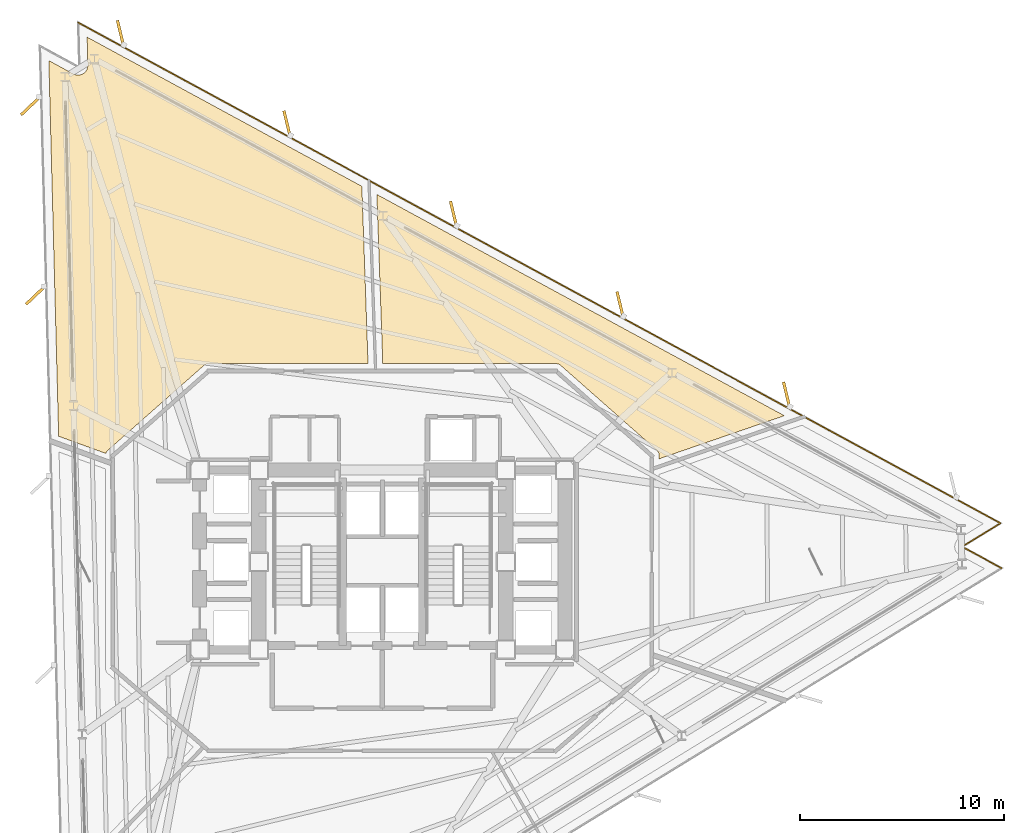
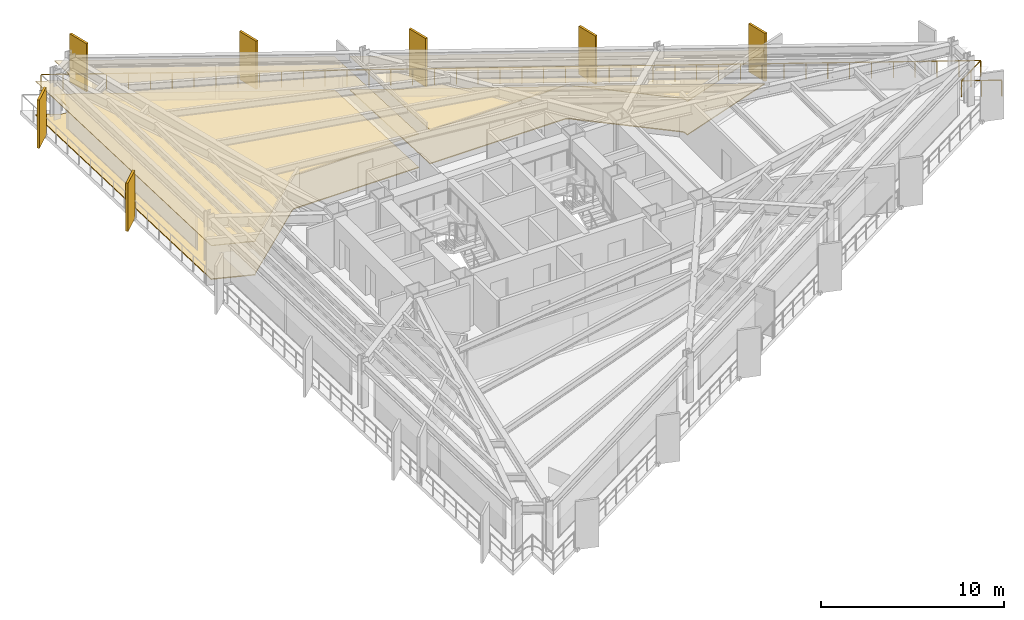
# One storey, part 14 of 14: 7 shading devices, 4 coverings, 1 railing.
"""IFC4 building model written with IfcOpenShell, lengths in metres."""

from ifc_helpers import new_model, si_unit, direction, frame, origin, origin_2d, place, context, subcontext, project, spatial, polyline, rectangle, outline, extrude, material, layer, layer_set, type_object, element, save


model = new_model("IFC4")

# Units and contexts
model_context = context("Model", 3, precision=1e-05, world=origin(), true_north=direction((0.0, 1.0)))
body_context = subcontext(model_context, "Body", "Model", "MODEL_VIEW")
ifc_project = project(units=[si_unit("LENGTHUNIT", "METRE"), si_unit("AREAUNIT", "SQUARE_METRE"), si_unit("VOLUMEUNIT", "CUBIC_METRE"), si_unit("PLANEANGLEUNIT", "RADIAN"), si_unit("MASSUNIT", "GRAM", prefix="KILO")], contexts=[model_context])

# Site, building, storey
site_placement = place(None, origin())
site = spatial("IfcSite", under=ifc_project, at=site_placement, CompositionType="ELEMENT")
building_placement = place(site_placement, origin())
building = spatial("IfcBuilding", under=site, at=building_placement, Name="Rocaltana Carrier Exchange", CompositionType="ELEMENT")
storey_placement = place(building_placement, frame((0.0, 0.0, 39.0400390625)))
storey = spatial("IfcBuildingStorey", under=building, at=storey_placement, Name="L12", CompositionType="ELEMENT", Elevation=39.0400390625)

# Coverings
ifc_material_1 = material(Name="Calcium Sulphate & Aluminium Pedestal", Category="aluminium")
ifc_layer_1 = layer(ifc_material_1, 0.06005859375)
ifc_layer_set_1 = layer_set([ifc_layer_1], Name="Calcium Sulphate & Aluminium Pedestal")
covering_type_1 = type_object("IfcCoveringType", Name="Anti-Static Raised Exchange Access Floor 60", PredefinedType="FLOORING", material=ifc_layer_set_1)
covering_1_placement = place(storey_placement, origin())
element("IfcCovering", 1, at=covering_1_placement, inside=storey, type_object=covering_type_1, Name="L12 Quiet Focus Lounge Finish Floor", PredefinedType="FLOORING", context=body_context, shape_type="SweptSolid", body=[
    extrude(outline(polyline([(19.68701171875, 7.15966796875), (13.56005859375, 5.0498046875), (13.56005859375, 5.199951171875), (13.559814453125, 5.213134765625), (13.559326171875, 5.220703125), (13.556884765625, 5.246826171875), (13.555908203125, 5.25439453125), (13.55078125, 5.2802734375), (13.549072265625, 5.28759765625), (13.541748046875, 5.31298828125), (13.539306640625, 5.320068359375), (13.529541015625, 5.344482421875), (13.526611328125, 5.351318359375), (13.5146484375, 5.375), (13.5107421875, 5.38134765625), (13.49658203125, 5.40380859375), (13.492431640625, 5.409912109375), (13.476318359375, 5.4306640625), (13.471435546875, 5.436279296875), (13.453369140625, 5.455810546875), (13.447998046875, 5.4609375), (13.438232421875, 5.469970703125), (8.73828125, 9.619873046875), (8.727294921875, 9.629150390625), (8.720703125, 9.63427734375), (8.697265625, 9.651123046875), (8.690185546875, 9.655517578125), (8.6650390625, 9.669921875), (8.65771484375, 9.673583984375), (8.631103515625, 9.68505859375), (8.62353515625, 9.68798828125), (8.595947265625, 9.697021484375), (8.587890625, 9.698974609375), (8.5595703125, 9.704833984375), (8.551513671875, 9.706298828125), (8.522705078125, 9.709228515625), (8.514404296875, 9.709716796875), (8.5, 9.7099609375), (0.02099609375, 9.7099609375), (-0.268310546875, 17.994384765625), (19.68701171875, 7.15966796875)])), origin(), (0.0, 0.0, 1.0), 0.06005859375),
])
covering_2_placement = place(storey_placement, origin())
element("IfcCovering", 2, at=covering_2_placement, inside=storey, type_object=covering_type_1, Name="L12 Peering Conference Room Finish Floor", PredefinedType="FLOORING", context=body_context, shape_type="SweptSolid", body=[
    extrude(outline(polyline([(-16.333984375, 24.54931640625), (-15.131103515625, 23.896484375), (-15.118896484375, 23.889892578125), (-15.100830078125, 23.88134765625), (-15.0751953125, 23.87060546875), (-15.056396484375, 23.86376953125), (-15.02978515625, 23.855712890625), (-15.01025390625, 23.8505859375), (-14.98291015625, 23.84521484375), (-14.96337890625, 23.84228515625), (-14.935546875, 23.839599609375), (-14.91552734375, 23.83837890625), (-14.8876953125, 23.838623046875), (-14.86767578125, 23.839599609375), (-14.840087890625, 23.84228515625), (-14.8203125, 23.845458984375), (-14.79296875, 23.85107421875), (-14.773681640625, 23.85595703125), (-14.746826171875, 23.8642578125), (-14.728271484375, 23.87109375), (-14.702392578125, 23.8818359375), (-14.6845703125, 23.890625), (-14.659912109375, 23.90380859375), (-14.64306640625, 23.914306640625), (-14.6201171875, 23.93017578125), (-14.60400390625, 23.942138671875), (-14.582763671875, 23.960205078125), (-14.568115234375, 23.9736328125), (-14.548583984375, 23.99365234375), (-14.535400390625, 24.0087890625), (-14.51806640625, 24.030517578125), (-14.506591796875, 24.046630859375), (-14.491455078125, 24.0703125), (-14.4814453125, 24.08740234375), (-14.46875, 24.1123046875), (-14.460693359375, 24.130615234375), (-14.450439453125, 24.156494140625), (-14.444091796875, 24.17529296875), (-14.4365234375, 24.202392578125), (-14.43212890625, 24.2216796875), (-14.42724609375, 24.249267578125), (-14.4248046875, 24.26904296875), (-14.4228515625, 24.296875), (-14.42236328125, 24.31689453125), (-14.42236328125, 24.330810546875), (-14.458251953125, 25.698974609375), (-1.00244140625, 18.39306640625), (-0.69921875, 9.7099609375), (-8.5, 9.7099609375), (-8.514404296875, 9.709716796875), (-8.522705078125, 9.709228515625), (-8.551513671875, 9.706298828125), (-8.5595703125, 9.704833984375), (-8.587890625, 9.698974609375), (-8.595947265625, 9.697021484375), (-8.62353515625, 9.68798828125), (-8.631103515625, 9.68505859375), (-8.65771484375, 9.673583984375), (-8.6650390625, 9.669921875), (-8.690185546875, 9.655517578125), (-8.697265625, 9.651123046875), (-8.720703125, 9.63427734375), (-8.727294921875, 9.629150390625), (-8.73828125, 9.619873046875), (-13.438232421875, 5.469970703125), (-13.447998046875, 5.4609375), (-13.453369140625, 5.455810546875), (-13.471435546875, 5.436279296875), (-13.476318359375, 5.4306640625), (-13.492431640625, 5.409912109375), (-13.49658203125, 5.40380859375), (-13.5107421875, 5.38134765625), (-13.5146484375, 5.375), (-13.526611328125, 5.351318359375), (-13.529541015625, 5.344482421875), (-13.539306640625, 5.320068359375), (-13.541748046875, 5.31298828125), (-13.5419921875, 5.31201171875), (-15.852294921875, 6.15283203125), (-16.333984375, 24.54931640625)])), origin(), (0.0, 0.0, 1.0), 0.06005859375),
])
ifc_material_2 = material(Name="Mineral Fibre & Powder-Coated Aluminium", Category="aluminium")
ifc_layer_2 = layer(ifc_material_2, 0.044921875)
ifc_layer_set_2 = layer_set([ifc_layer_2], Name="Mineral Fibre & Powder-Coated Aluminium")
covering_type_2 = type_object("IfcCoveringType", Name="Micro-Perforated Acoustic Ceiling 45", PredefinedType="CEILING", material=ifc_layer_set_2)
covering_3_placement = place(storey_placement, frame((0.0, 0.0, 2.242919921875)))
element("IfcCovering", 3, at=covering_3_placement, inside=storey, type_object=covering_type_2, Name="L12 Quiet Focus Lounge Acoustic Ceiling", PredefinedType="CEILING", context=body_context, shape_type="SweptSolid", body=[
    extrude(outline(polyline([(19.68701171875, 7.15966796875), (13.56005859375, 5.0498046875), (13.56005859375, 5.199951171875), (13.559814453125, 5.213134765625), (13.559326171875, 5.220703125), (13.556884765625, 5.246826171875), (13.555908203125, 5.25439453125), (13.55078125, 5.2802734375), (13.549072265625, 5.28759765625), (13.541748046875, 5.31298828125), (13.539306640625, 5.320068359375), (13.529541015625, 5.344482421875), (13.526611328125, 5.351318359375), (13.5146484375, 5.375), (13.5107421875, 5.38134765625), (13.49658203125, 5.40380859375), (13.492431640625, 5.409912109375), (13.476318359375, 5.4306640625), (13.471435546875, 5.436279296875), (13.453369140625, 5.455810546875), (13.447998046875, 5.4609375), (13.438232421875, 5.469970703125), (8.73828125, 9.619873046875), (8.727294921875, 9.629150390625), (8.720703125, 9.63427734375), (8.697265625, 9.651123046875), (8.690185546875, 9.655517578125), (8.6650390625, 9.669921875), (8.65771484375, 9.673583984375), (8.631103515625, 9.68505859375), (8.62353515625, 9.68798828125), (8.595947265625, 9.697021484375), (8.587890625, 9.698974609375), (8.5595703125, 9.704833984375), (8.551513671875, 9.706298828125), (8.522705078125, 9.709228515625), (8.514404296875, 9.709716796875), (8.5, 9.7099609375), (0.02099609375, 9.7099609375), (-0.268310546875, 17.994384765625), (19.68701171875, 7.15966796875)])), origin(), (0.0, 0.0, 1.0), 0.044921875),
])
covering_4_placement = place(storey_placement, frame((0.0, 0.0, 2.242919921875)))
element("IfcCovering", 4, at=covering_4_placement, inside=storey, type_object=covering_type_2, Name="L12 Peering Conference Room Acoustic Ceiling", PredefinedType="CEILING", context=body_context, shape_type="SweptSolid", body=[
    extrude(outline(polyline([(-16.333984375, 24.54931640625), (-15.131103515625, 23.896484375), (-15.118896484375, 23.889892578125), (-15.100830078125, 23.88134765625), (-15.0751953125, 23.87060546875), (-15.056396484375, 23.86376953125), (-15.02978515625, 23.855712890625), (-15.01025390625, 23.8505859375), (-14.98291015625, 23.84521484375), (-14.96337890625, 23.84228515625), (-14.935546875, 23.839599609375), (-14.91552734375, 23.83837890625), (-14.8876953125, 23.838623046875), (-14.86767578125, 23.839599609375), (-14.840087890625, 23.84228515625), (-14.8203125, 23.845458984375), (-14.79296875, 23.85107421875), (-14.773681640625, 23.85595703125), (-14.746826171875, 23.8642578125), (-14.728271484375, 23.87109375), (-14.702392578125, 23.8818359375), (-14.6845703125, 23.890625), (-14.659912109375, 23.90380859375), (-14.64306640625, 23.914306640625), (-14.6201171875, 23.93017578125), (-14.60400390625, 23.942138671875), (-14.582763671875, 23.960205078125), (-14.568115234375, 23.9736328125), (-14.548583984375, 23.99365234375), (-14.535400390625, 24.0087890625), (-14.51806640625, 24.030517578125), (-14.506591796875, 24.046630859375), (-14.491455078125, 24.0703125), (-14.4814453125, 24.08740234375), (-14.46875, 24.1123046875), (-14.460693359375, 24.130615234375), (-14.450439453125, 24.156494140625), (-14.444091796875, 24.17529296875), (-14.4365234375, 24.202392578125), (-14.43212890625, 24.2216796875), (-14.42724609375, 24.249267578125), (-14.4248046875, 24.26904296875), (-14.4228515625, 24.296875), (-14.42236328125, 24.31689453125), (-14.42236328125, 24.330810546875), (-14.458251953125, 25.698974609375), (-1.00244140625, 18.39306640625), (-0.69921875, 9.7099609375), (-8.5, 9.7099609375), (-8.514404296875, 9.709716796875), (-8.522705078125, 9.709228515625), (-8.551513671875, 9.706298828125), (-8.5595703125, 9.704833984375), (-8.587890625, 9.698974609375), (-8.595947265625, 9.697021484375), (-8.62353515625, 9.68798828125), (-8.631103515625, 9.68505859375), (-8.65771484375, 9.673583984375), (-8.6650390625, 9.669921875), (-8.690185546875, 9.655517578125), (-8.697265625, 9.651123046875), (-8.720703125, 9.63427734375), (-8.727294921875, 9.629150390625), (-8.73828125, 9.619873046875), (-13.438232421875, 5.469970703125), (-13.447998046875, 5.4609375), (-13.453369140625, 5.455810546875), (-13.471435546875, 5.436279296875), (-13.476318359375, 5.4306640625), (-13.492431640625, 5.409912109375), (-13.49658203125, 5.40380859375), (-13.5107421875, 5.38134765625), (-13.5146484375, 5.375), (-13.526611328125, 5.351318359375), (-13.529541015625, 5.344482421875), (-13.539306640625, 5.320068359375), (-13.541748046875, 5.31298828125), (-13.5419921875, 5.31201171875), (-15.852294921875, 6.15283203125), (-16.333984375, 24.54931640625)])), origin(), (0.0, 0.0, 1.0), 0.044921875),
])

# Shading devices
ifc_material_3 = material(Name="Honed Bogota Sandstone & Concrete C45/55", Category="masonry")
ifc_layer_3 = layer(ifc_material_3, 0.139892578125)
ifc_layer_set_3 = layer_set([ifc_layer_3], Name="Honed Bogota Sandstone & Concrete C45/55")
shading_device_type = type_object("IfcShadingDeviceType", Name="Vertical Sandstone Shading Fin 1320x140", PredefinedType="USERDEFINED", material=ifc_layer_set_3)
for number, where, z_axis, x_axis, name in (
    (5, (19.802001953125, 8.16748046875, -0.1201171875), (0.0, 0.0, 1.0), (-0.233445363856, 0.972369920398, 0.0), "L12 Sandstone Vertical Fin F1-02"),
    (6, (11.646484375, 12.595703125, -0.1201171875), (0.0, 0.0, 1.0), (-0.233445363856, 0.972369920398, 0.0), "L12 Sandstone Vertical Fin F1-03"),
    (7, (3.4912109375, 17.023681640625, -0.1201171875), (0.0, 0.0, 1.0), (-0.233445363856, 0.972369920398, 0.0), "L12 Sandstone Vertical Fin F1-04"),
    (8, (-4.664306640625, 21.45166015625, -0.1201171875), (0.0, 0.0, 1.0), (-0.233445363856, 0.972369920398, 0.0), "L12 Sandstone Vertical Fin F1-05"),
    (9, (-12.819580078125, 25.879638671875, -0.1201171875), (0.0, 0.0, 1.0), (-0.233445363856, 0.972369920398, 0.0), "L12 Sandstone Vertical Fin F1-06"),
    (10, (-17.21728515625, 22.342041015625, -0.1201171875), (0.0, 0.0, 1.0), (-0.725374371012, -0.688354575694, 0.0), "L12 Sandstone Vertical Fin F2-01"),
    (11, (-16.974365234375, 13.065185546875, -0.1201171875), (0.0, 0.0, 1.0), (-0.725374371012, -0.688354575694, 0.0), "L12 Sandstone Vertical Fin F2-02"),
):
    element("IfcShadingDevice", number, at=place(storey_placement, frame(where, z_axis=z_axis, x_axis=x_axis)), inside=storey, type_object=shading_device_type, Name=name, ObjectType="FIN", PredefinedType="USERDEFINED", context=body_context, shape_type="SweptSolid", body=[
        extrude(rectangle(XDim=1.320068359375, YDim=0.139892578125, at=origin_2d()), origin(), (0.0, 0.0, 1.0), 3.218017578125),
    ])

# Railing
ifc_material_4 = material(Name="Powder-Coated Aluminium 6063-T6", Category="aluminium")
ifc_layer_4 = layer(ifc_material_4, 0.06005859375)
ifc_layer_set_4 = layer_set([ifc_layer_4], Name="Powder-Coated Aluminium 6063-T6")
railing_type = type_object("IfcRailingType", Name="Wind-Floor & Terrace Perimeter Guardrail 1100", PredefinedType="GUARDRAIL", material=ifc_layer_set_4)
railing_placement = place(storey_placement, frame((-14.897216796875, 26.415283203125, 0.0)))
element("IfcRailing", 12, at=railing_placement, inside=storey, type_object=railing_type, Name="L12 Perimeter Balcony Guardrail 3", PredefinedType="GUARDRAIL", context=body_context, shape_type="SweptSolid", body=[
    extrude(rectangle(XDim=0.048095703125, YDim=0.048095703125, at=origin_2d()), frame((0.0, 0.0, 1.076171875), z_axis=(0.878817120119, -0.477158746526, 0.0), x_axis=(0.477158746526, 0.878817120119, 0.0)), (0.0, 0.0, 1.0), 51.39208984375),
    extrude(rectangle(XDim=0.048095703125, YDim=0.048095703125, at=origin_2d()), frame((45.164306640625, -24.522216796875, 1.076171875), z_axis=(-0.852598062579, -0.522567262356, 0.0), x_axis=(0.522567262356, -0.852598062579, 0.0)), (0.0, 0.0, 1.0), 2.199951171875),
    extrude(rectangle(XDim=0.048095703125, YDim=0.048095703125, at=origin_2d()), frame((43.28857421875, -25.671875, 1.076171875), z_axis=(0.878801578058, -0.477187370331, 0.0), x_axis=(0.477187370331, 0.878801578058, 0.0)), (0.0, 0.0, 1.0), 2.199951171875),
    extrude(rectangle(XDim=0.0419921875, YDim=0.0419921875, at=origin_2d()), origin(), (0.0, 0.0, 1.0), 1.052001953125),
    extrude(rectangle(XDim=0.0419921875, YDim=0.0419921875, at=origin_2d()), frame((1.05029296875, -0.5703125, 0.0)), (0.0, 0.0, 1.0), 1.052001953125),
    extrude(rectangle(XDim=0.0419921875, YDim=0.0419921875, at=origin_2d()), frame((2.1005859375, -1.140625, 0.0)), (0.0, 0.0, 1.0), 1.052001953125),
    extrude(rectangle(XDim=0.0419921875, YDim=0.0419921875, at=origin_2d()), frame((3.15087890625, -1.7109375, 0.0)), (0.0, 0.0, 1.0), 1.052001953125),
    extrude(rectangle(XDim=0.0419921875, YDim=0.0419921875, at=origin_2d()), frame((4.201416015625, -2.28125, 0.0)), (0.0, 0.0, 1.0), 1.052001953125),
    extrude(rectangle(XDim=0.0419921875, YDim=0.0419921875, at=origin_2d()), frame((5.251708984375, -2.851318359375, 0.0)), (0.0, 0.0, 1.0), 1.052001953125),
    extrude(rectangle(XDim=0.0419921875, YDim=0.0419921875, at=origin_2d()), frame((6.302001953125, -3.421630859375, 0.0)), (0.0, 0.0, 1.0), 1.052001953125),
    extrude(rectangle(XDim=0.0419921875, YDim=0.0419921875, at=origin_2d()), frame((7.352294921875, -3.991943359375, 0.0)), (0.0, 0.0, 1.0), 1.052001953125),
    extrude(rectangle(XDim=0.0419921875, YDim=0.0419921875, at=origin_2d()), frame((8.402587890625, -4.562255859375, 0.0)), (0.0, 0.0, 1.0), 1.052001953125),
    extrude(rectangle(XDim=0.0419921875, YDim=0.0419921875, at=origin_2d()), frame((9.452880859375, -5.132568359375, 0.0)), (0.0, 0.0, 1.0), 1.052001953125),
    extrude(rectangle(XDim=0.0419921875, YDim=0.0419921875, at=origin_2d()), frame((10.50341796875, -5.702880859375, 0.0)), (0.0, 0.0, 1.0), 1.052001953125),
    extrude(rectangle(XDim=0.0419921875, YDim=0.0419921875, at=origin_2d()), frame((11.5537109375, -6.273193359375, 0.0)), (0.0, 0.0, 1.0), 1.052001953125),
    extrude(rectangle(XDim=0.0419921875, YDim=0.0419921875, at=origin_2d()), frame((12.60400390625, -6.843505859375, 0.0)), (0.0, 0.0, 1.0), 1.052001953125),
    extrude(rectangle(XDim=0.0419921875, YDim=0.0419921875, at=origin_2d()), frame((13.654296875, -7.41357421875, 0.0)), (0.0, 0.0, 1.0), 1.052001953125),
    extrude(rectangle(XDim=0.0419921875, YDim=0.0419921875, at=origin_2d()), frame((14.70458984375, -7.98388671875, 0.0)), (0.0, 0.0, 1.0), 1.052001953125),
    extrude(rectangle(XDim=0.0419921875, YDim=0.0419921875, at=origin_2d()), frame((15.7548828125, -8.55419921875, 0.0)), (0.0, 0.0, 1.0), 1.052001953125),
    extrude(rectangle(XDim=0.0419921875, YDim=0.0419921875, at=origin_2d()), frame((16.805419921875, -9.12451171875, 0.0)), (0.0, 0.0, 1.0), 1.052001953125),
    extrude(rectangle(XDim=0.0419921875, YDim=0.0419921875, at=origin_2d()), frame((17.855712890625, -9.69482421875, 0.0)), (0.0, 0.0, 1.0), 1.052001953125),
    extrude(rectangle(XDim=0.0419921875, YDim=0.0419921875, at=origin_2d()), frame((18.906005859375, -10.26513671875, 0.0)), (0.0, 0.0, 1.0), 1.052001953125),
    extrude(rectangle(XDim=0.0419921875, YDim=0.0419921875, at=origin_2d()), frame((19.956298828125, -10.83544921875, 0.0)), (0.0, 0.0, 1.0), 1.052001953125),
    extrude(rectangle(XDim=0.0419921875, YDim=0.0419921875, at=origin_2d()), frame((21.006591796875, -11.40576171875, 0.0)), (0.0, 0.0, 1.0), 1.052001953125),
    extrude(rectangle(XDim=0.0419921875, YDim=0.0419921875, at=origin_2d()), frame((22.056884765625, -11.97607421875, 0.0)), (0.0, 0.0, 1.0), 1.052001953125),
    extrude(rectangle(XDim=0.0419921875, YDim=0.0419921875, at=origin_2d()), frame((23.107421875, -12.546142578125, 0.0)), (0.0, 0.0, 1.0), 1.052001953125),
    extrude(rectangle(XDim=0.0419921875, YDim=0.0419921875, at=origin_2d()), frame((24.15771484375, -13.116455078125, 0.0)), (0.0, 0.0, 1.0), 1.052001953125),
    extrude(rectangle(XDim=0.0419921875, YDim=0.0419921875, at=origin_2d()), frame((25.2080078125, -13.686767578125, 0.0)), (0.0, 0.0, 1.0), 1.052001953125),
    extrude(rectangle(XDim=0.0419921875, YDim=0.0419921875, at=origin_2d()), frame((26.25830078125, -14.257080078125, 0.0)), (0.0, 0.0, 1.0), 1.052001953125),
    extrude(rectangle(XDim=0.0419921875, YDim=0.0419921875, at=origin_2d()), frame((27.30859375, -14.827392578125, 0.0)), (0.0, 0.0, 1.0), 1.052001953125),
    extrude(rectangle(XDim=0.0419921875, YDim=0.0419921875, at=origin_2d()), frame((28.35888671875, -15.397705078125, 0.0)), (0.0, 0.0, 1.0), 1.052001953125),
    extrude(rectangle(XDim=0.0419921875, YDim=0.0419921875, at=origin_2d()), frame((29.409423828125, -15.968017578125, 0.0)), (0.0, 0.0, 1.0), 1.052001953125),
    extrude(rectangle(XDim=0.0419921875, YDim=0.0419921875, at=origin_2d()), frame((30.459716796875, -16.538330078125, 0.0)), (0.0, 0.0, 1.0), 1.052001953125),
    extrude(rectangle(XDim=0.0419921875, YDim=0.0419921875, at=origin_2d()), frame((31.510009765625, -17.108642578125, 0.0)), (0.0, 0.0, 1.0), 1.052001953125),
    extrude(rectangle(XDim=0.0419921875, YDim=0.0419921875, at=origin_2d()), frame((32.560302734375, -17.6787109375, 0.0)), (0.0, 0.0, 1.0), 1.052001953125),
    extrude(rectangle(XDim=0.0419921875, YDim=0.0419921875, at=origin_2d()), frame((33.610595703125, -18.2490234375, 0.0)), (0.0, 0.0, 1.0), 1.052001953125),
    extrude(rectangle(XDim=0.0419921875, YDim=0.0419921875, at=origin_2d()), frame((34.660888671875, -18.8193359375, 0.0)), (0.0, 0.0, 1.0), 1.052001953125),
    extrude(rectangle(XDim=0.0419921875, YDim=0.0419921875, at=origin_2d()), frame((35.71142578125, -19.3896484375, 0.0)), (0.0, 0.0, 1.0), 1.052001953125),
    extrude(rectangle(XDim=0.0419921875, YDim=0.0419921875, at=origin_2d()), frame((36.76171875, -19.9599609375, 0.0)), (0.0, 0.0, 1.0), 1.052001953125),
    extrude(rectangle(XDim=0.0419921875, YDim=0.0419921875, at=origin_2d()), frame((37.81201171875, -20.5302734375, 0.0)), (0.0, 0.0, 1.0), 1.052001953125),
    extrude(rectangle(XDim=0.0419921875, YDim=0.0419921875, at=origin_2d()), frame((38.8623046875, -21.1005859375, 0.0)), (0.0, 0.0, 1.0), 1.052001953125),
    extrude(rectangle(XDim=0.0419921875, YDim=0.0419921875, at=origin_2d()), frame((39.91259765625, -21.6708984375, 0.0)), (0.0, 0.0, 1.0), 1.052001953125),
    extrude(rectangle(XDim=0.0419921875, YDim=0.0419921875, at=origin_2d()), frame((40.962890625, -22.240966796875, 0.0)), (0.0, 0.0, 1.0), 1.052001953125),
    extrude(rectangle(XDim=0.0419921875, YDim=0.0419921875, at=origin_2d()), frame((42.013427734375, -22.811279296875, 0.0)), (0.0, 0.0, 1.0), 1.052001953125),
    extrude(rectangle(XDim=0.0419921875, YDim=0.0419921875, at=origin_2d()), frame((43.063720703125, -23.381591796875, 0.0)), (0.0, 0.0, 1.0), 1.052001953125),
    extrude(rectangle(XDim=0.0419921875, YDim=0.0419921875, at=origin_2d()), frame((44.114013671875, -23.951904296875, 0.0)), (0.0, 0.0, 1.0), 1.052001953125),
    extrude(rectangle(XDim=0.0419921875, YDim=0.0419921875, at=origin_2d()), frame((45.164306640625, -24.522216796875, 0.0)), (0.0, 0.0, 1.0), 1.052001953125),
    extrude(rectangle(XDim=0.0419921875, YDim=0.0419921875, at=origin_2d()), frame((44.2265625, -25.09716796875, 0.0)), (0.0, 0.0, 1.0), 1.052001953125),
    extrude(rectangle(XDim=0.0419921875, YDim=0.0419921875, at=origin_2d()), frame((43.28857421875, -25.671875, 0.0)), (0.0, 0.0, 1.0), 1.052001953125),
    extrude(rectangle(XDim=0.0419921875, YDim=0.0419921875, at=origin_2d()), frame((44.25537109375, -26.19677734375, 0.0)), (0.0, 0.0, 1.0), 1.052001953125),
    extrude(rectangle(XDim=0.0419921875, YDim=0.0419921875, at=origin_2d()), frame((45.221923828125, -26.7216796875, 0.0)), (0.0, 0.0, 1.0), 1.052001953125),
])

save(model, "model.ifc")
